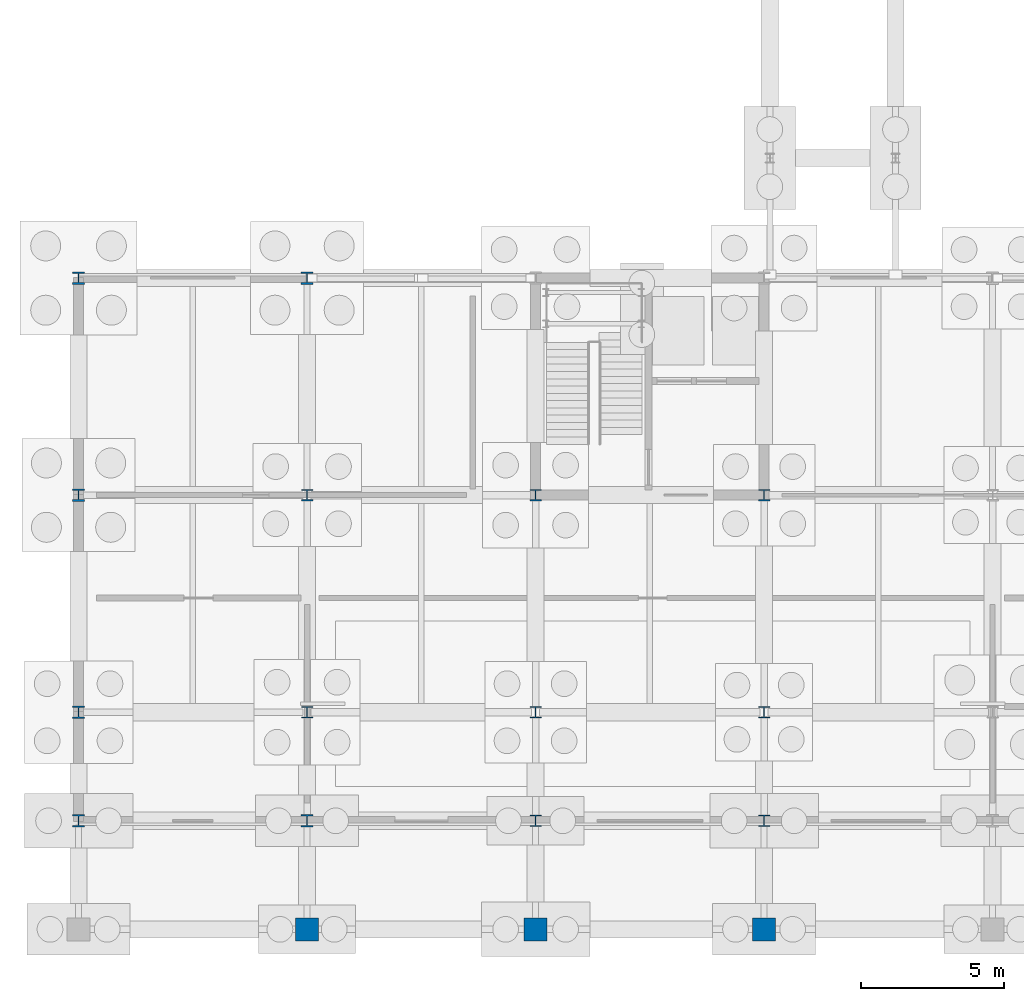
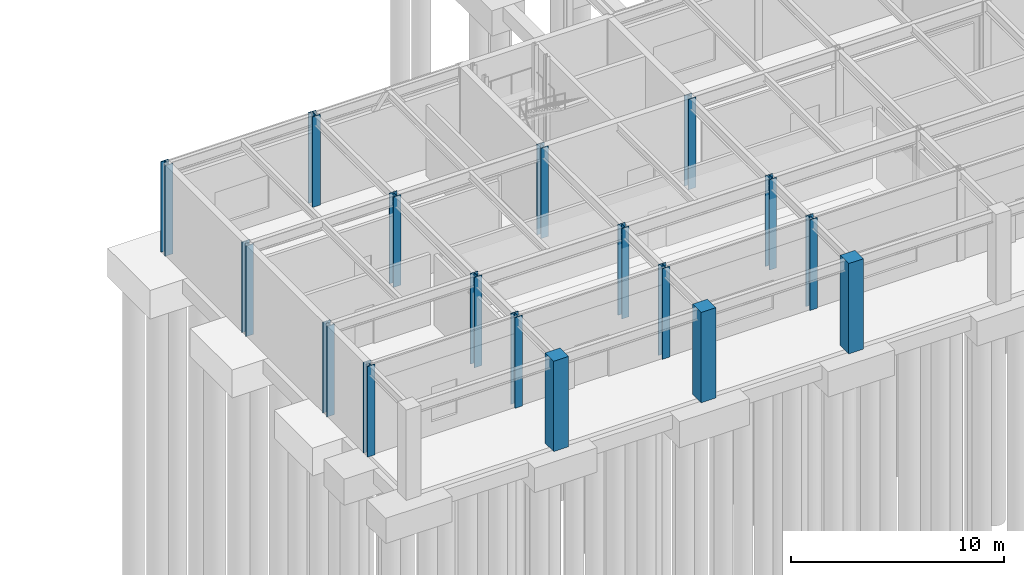
# One storey, part 8 of 62: 17 columns.
"""IFC4 building model written with IfcOpenShell, lengths in metres."""

from ifc_helpers import new_model, si_unit, direction, frame, origin, origin_2d, place, context, subcontext, project, spatial, rectangle, i_section, extrude, material, material_profile, profile_set, type_object, element, save


model = new_model("IFC4")

# Units and contexts
model_context = context("Model", 3, precision=1e-05, world=origin(), true_north=direction((0.0, 1.0)))
body_context = subcontext(model_context, "Body", "Model", "MODEL_VIEW")
ifc_project = project(units=[si_unit("LENGTHUNIT", "METRE"), si_unit("AREAUNIT", "SQUARE_METRE"), si_unit("VOLUMEUNIT", "CUBIC_METRE"), si_unit("PLANEANGLEUNIT", "RADIAN"), si_unit("MASSUNIT", "GRAM", prefix="KILO")], contexts=[model_context])

# Site, building, storey
site_placement = place(None, origin())
site = spatial("IfcSite", under=ifc_project, at=site_placement, CompositionType="ELEMENT")
building_placement = place(site_placement, origin())
building = spatial("IfcBuilding", under=site, at=building_placement, Name="Zulena Civic Courthouse", CompositionType="ELEMENT")
storey_placement = place(building_placement, origin())
storey = spatial("IfcBuildingStorey", under=building, at=storey_placement, Name="L00", CompositionType="ELEMENT", Elevation=0.0)

# Columns
ifc_material_1 = material(Name="Concrete C40/50", Category="concrete")
ifc_material_profile_1 = material_profile(ifc_material_1, rectangle(XDim=0.800048828125, YDim=0.800048828125, at=origin_2d()), Name="RC800X800")
ifc_profile_set_1 = profile_set([ifc_material_profile_1], Name="Concrete C40/50")
column_type_1 = type_object("IfcColumnType", Name="Col_RC800", PredefinedType="COLUMN", material=ifc_profile_set_1)
for number, where, z_axis, x_axis, name in (
    (1, (12.0, 0.0, 0.0), (0.0, 0.0, 1.0), (1.0, 0.0, 0.0), "col:V2:L00:arc:12.0"),
    (2, (20.0, 0.0, 0.0), (0.0, 0.0, 1.0), (1.0, 0.0, 0.0), "col:V2:L00:arc:20.0"),
    (3, (28.0, 0.0, 0.0), (0.0, 0.0, 1.0), (1.0, 0.0, 0.0), "col:V2:L00:arc:28.0"),
):
    element("IfcColumn", number, at=place(storey_placement, frame(where, z_axis=z_axis, x_axis=x_axis)), inside=storey, type_object=column_type_1, Name=name, PredefinedType="COLUMN", context=body_context, shape_type="SweptSolid", body=[
        extrude(rectangle(XDim=0.800048828125, YDim=0.800048828125, at=origin_2d()), origin(), (0.0, 0.0, 1.0), 5.18505859375),
    ])
ifc_material_2 = material(Name="Steel ASTM A992 Grade 50", Category="steel")
ifc_material_profile_2 = material_profile(ifc_material_2, i_section(OverallWidth=0.40087890625, OverallDepth=0.39892578125, WebThickness=0.02490234375, FlangeThickness=0.03955078125, FilletRadius=0.01513671875, at=origin_2d()), Name="W14X211")
ifc_profile_set_2 = profile_set([ifc_material_profile_2], Name="Steel ASTM A992 Grade 50")
column_type_2 = type_object("IfcColumnType", Name="Col_W14X211", PredefinedType="COLUMN", material=ifc_profile_set_2)
for number, where, z_axis, x_axis, name in (
    (4, (12.0, 7.60009765625, 0.0), (0.0, 0.0, 1.0), (1.0, 0.0, 0.0), "col:V2:L00:12.0:7.6"),
    (5, (12.0, 15.199951171875, 0.0), (0.0, 0.0, 1.0), (1.0, 0.0, 0.0), "col:V2:L00:12.0:15.2"),
    (6, (20.0, 7.60009765625, 0.0), (0.0, 0.0, 1.0), (1.0, 0.0, 0.0), "col:V2:L00:20.0:7.6"),
    (7, (20.0, 15.199951171875, 0.0), (0.0, 0.0, 1.0), (1.0, 0.0, 0.0), "col:V2:L00:20.0:15.2"),
    (8, (28.0, 7.60009765625, 0.0), (0.0, 0.0, 1.0), (1.0, 0.0, 0.0), "col:V2:L00:28.0:7.6"),
    (9, (28.0, 15.199951171875, 0.0), (0.0, 0.0, 1.0), (1.0, 0.0, 0.0), "col:V2:L00:28.0:15.2"),
):
    element("IfcColumn", number, at=place(storey_placement, frame(where, z_axis=z_axis, x_axis=x_axis)), inside=storey, type_object=column_type_2, Name=name, PredefinedType="COLUMN", context=body_context, shape_type="SweptSolid", body=[
        extrude(i_section(OverallWidth=0.40087890625, OverallDepth=0.39892578125, WebThickness=0.02490234375, FlangeThickness=0.03955078125, FilletRadius=0.01513671875, at=origin_2d()), origin(), (0.0, 0.0, 1.0), 5.18505859375),
    ])
ifc_material_profile_3 = material_profile(ifc_material_2, i_section(OverallWidth=0.406005859375, OverallDepth=0.416015625, WebThickness=0.02978515625, FlangeThickness=0.048095703125, FilletRadius=0.01513671875, at=origin_2d()), Name="W14X257")
ifc_profile_set_3 = profile_set([ifc_material_profile_3], Name="Steel ASTM A992 Grade 50")
column_type_3 = type_object("IfcColumnType", Name="Col_W14X257", PredefinedType="COLUMN", material=ifc_profile_set_3)
for number, where, z_axis, x_axis, name in (
    (10, (20.0, 3.800048828125, 0.0), (0.0, 0.0, 1.0), (1.0, 0.0, 0.0), "col:V2:L00:20.0:3.8"),
    (11, (28.0, 3.800048828125, 0.0), (0.0, 0.0, 1.0), (1.0, 0.0, 0.0), "col:V2:L00:28.0:3.8"),
):
    element("IfcColumn", number, at=place(storey_placement, frame(where, z_axis=z_axis, x_axis=x_axis)), inside=storey, type_object=column_type_3, Name=name, PredefinedType="COLUMN", context=body_context, shape_type="SweptSolid", body=[
        extrude(i_section(OverallWidth=0.406005859375, OverallDepth=0.416015625, WebThickness=0.02978515625, FlangeThickness=0.048095703125, FilletRadius=0.01513671875, at=origin_2d()), origin(), (0.0, 0.0, 1.0), 5.18505859375),
    ])
ifc_material_profile_4 = material_profile(ifc_material_2, i_section(OverallWidth=0.412109375, OverallDepth=0.43505859375, WebThickness=0.035888671875, FlangeThickness=0.057373046875, FilletRadius=0.01513671875, at=origin_2d()), Name="W14X311")
ifc_profile_set_4 = profile_set([ifc_material_profile_4], Name="Steel ASTM A992 Grade 50")
column_type_4 = type_object("IfcColumnType", Name="Col_W14X311", PredefinedType="COLUMN", material=ifc_profile_set_4)
for number, where, z_axis, x_axis, name in (
    (12, (4.0, 3.800048828125, 0.0), (0.0, 0.0, 1.0), (1.0, 0.0, 0.0), "col:V2:L00:4.0:3.8"),
    (13, (4.0, 7.60009765625, 0.0), (0.0, 0.0, 1.0), (1.0, 0.0, 0.0), "col:V2:L00:4.0:7.6"),
    (14, (4.0, 15.199951171875, 0.0), (0.0, 0.0, 1.0), (1.0, 0.0, 0.0), "col:V2:L00:4.0:15.2"),
    (15, (4.0, 22.800048828125, 0.0), (0.0, 0.0, 1.0), (1.0, 0.0, 0.0), "col:V2:L00:4.0:22.8"),
    (16, (12.0, 3.800048828125, 0.0), (0.0, 0.0, 1.0), (1.0, 0.0, 0.0), "col:V2:L00:12.0:3.8"),
    (17, (12.0, 22.800048828125, 0.0), (0.0, 0.0, 1.0), (1.0, 0.0, 0.0), "col:V2:L00:12.0:22.8"),
):
    element("IfcColumn", number, at=place(storey_placement, frame(where, z_axis=z_axis, x_axis=x_axis)), inside=storey, type_object=column_type_4, Name=name, PredefinedType="COLUMN", context=body_context, shape_type="SweptSolid", body=[
        extrude(i_section(OverallWidth=0.412109375, OverallDepth=0.43505859375, WebThickness=0.035888671875, FlangeThickness=0.057373046875, FilletRadius=0.01513671875, at=origin_2d()), origin(), (0.0, 0.0, 1.0), 5.18505859375),
    ])

save(model, "model.ifc")
